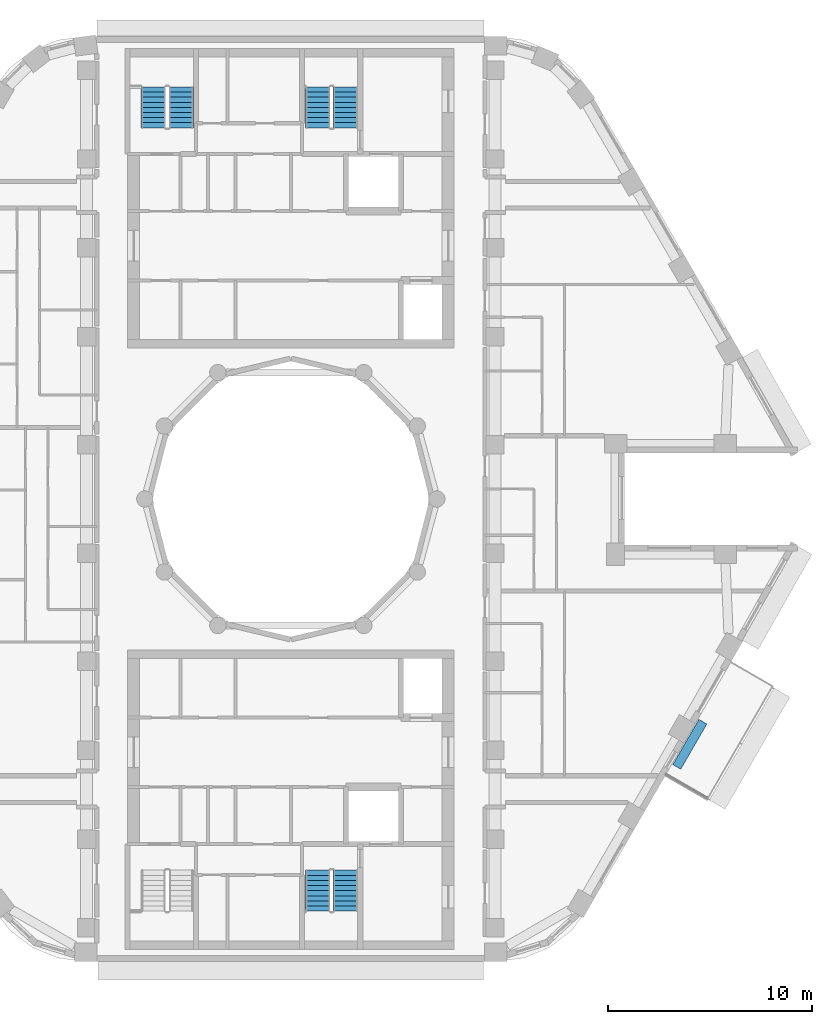
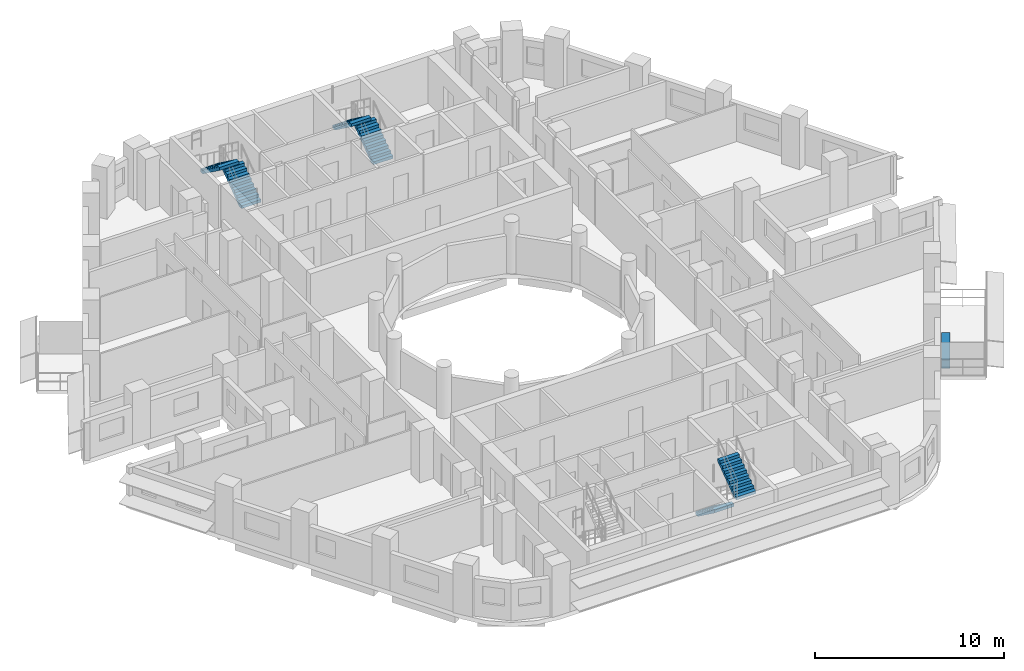
# One storey, part 9 of 14: 6 stair flights, 1 discrete accessory, 3 elements without a shape of their own.
"""IFC4 building model written with IfcOpenShell, lengths in metres."""

from ifc_helpers import new_model, si_unit, direction, frame, origin, origin_2d, place, context, subcontext, project, spatial, polyline, rectangle, outline, extrude, material, type_object, element, aggregate, save


model = new_model("IFC4")

# Units and contexts
model_context = context("Model", 3, precision=1e-05, world=origin(), true_north=direction((0.0, 1.0)))
body_context = subcontext(model_context, "Body", "Model", "MODEL_VIEW")
ifc_project = project(units=[si_unit("LENGTHUNIT", "METRE"), si_unit("AREAUNIT", "SQUARE_METRE"), si_unit("VOLUMEUNIT", "CUBIC_METRE"), si_unit("PLANEANGLEUNIT", "RADIAN"), si_unit("MASSUNIT", "GRAM", prefix="KILO")], contexts=[model_context])

# Site, building, storey
site_placement = place(None, origin())
site = spatial("IfcSite", under=ifc_project, at=site_placement, CompositionType="ELEMENT")
building_placement = place(site_placement, origin())
building = spatial("IfcBuilding", under=site, at=building_placement, Name="Nakaniwa Court", CompositionType="ELEMENT")
storey_placement = place(building_placement, frame((0.0, 0.0, 265.800048828125)))
storey = spatial("IfcBuildingStorey", under=building, at=storey_placement, Name="L70", CompositionType="ELEMENT", Elevation=265.800048828125)

# Stair, stair flights
ifc_material_1 = material(Name="Concrete C80/100", Category="concrete")
stair_type = type_object("IfcStairType", Name="Dog leg stair 1200 wide 18 risers", PredefinedType="HALF_TURN_STAIR", material=ifc_material_1)
stair_1_placement = place(storey_placement, origin())
stair_1 = element("IfcStair", 1, at=stair_1_placement, inside=storey, type_object=stair_type, Name="L70 Stair ST1", PredefinedType="HALF_TURN_STAIR")
stair_flight_type = type_object("IfcStairFlightType", Name="Stair flight 1200 wide 9 risers", PredefinedType="STRAIGHT", material=ifc_material_1)
stair_flight_1_placement = place(storey_placement, frame((74.625, 98.175048828125, 0.0), z_axis=(0.0, 0.0, 1.0), x_axis=(0.0, 1.0, 0.0)))
stair_flight_1 = element("IfcStairFlight", 2, at=stair_flight_1_placement, type_object=stair_flight_type, Name="ST1 flight 1", NumberOfRisers=9, NumberOfTreads=8, PredefinedType="STRAIGHT", RiserHeight=0.183333333, TreadLength=0.25, context=body_context, shape_type="SweptSolid", body=[
    extrude(outline(polyline([(0.0, 0.0), (0.0, 0.026123046875), (0.0, 0.052490234375), (0.0, 0.07861328125), (0.0, 0.104736328125), (0.0, 0.130859375), (0.0, 0.1572265625), (0.0, 0.183349609375), (0.25, 0.183349609375), (0.25, 0.36669921875), (0.5, 0.36669921875), (0.5, 0.550048828125), (0.75, 0.550048828125), (0.75, 0.7333984375), (1.0, 0.7333984375), (1.0, 0.916748046875), (1.25, 0.916748046875), (1.25, 1.10009765625), (1.5, 1.10009765625), (1.5, 1.283447265625), (1.75, 1.283447265625), (1.75, 1.466552734375), (2.0, 1.466552734375), (2.0, 1.64990234375), (2.0, 1.59716796875), (2.0, 1.54443359375), (2.0, 1.49169921875), (2.0, 1.43896484375), (2.0, 1.38623046875), (2.0, 1.33349609375), (2.0, 1.28076171875), (0.25341796875, 0.0), (0.0, 0.0)])), frame((0.0, 0.60009765625, 0.0), z_axis=(0.0, -1.0, 0.0), x_axis=(1.0, 0.0, 0.0)), (0.0, 0.0, 1.0), 1.199951171875),
])
stair_flight_2_placement = place(storey_placement, frame((73.27490234375, 100.175048828125, 1.64990234375), z_axis=(0.0, 0.0, 1.0), x_axis=(0.0, -1.0, 0.0)))
stair_flight_2 = element("IfcStairFlight", 3, at=stair_flight_2_placement, type_object=stair_flight_type, Name="ST1 flight 2", NumberOfRisers=9, NumberOfTreads=8, PredefinedType="STRAIGHT", RiserHeight=0.183333333, TreadLength=0.25, context=body_context, shape_type="SweptSolid", body=[
    extrude(outline(polyline([(0.0, 0.0), (0.0, 0.026123046875), (0.0, 0.052490234375), (0.0, 0.07861328125), (0.0, 0.104736328125), (0.0, 0.130859375), (0.0, 0.1572265625), (0.0, 0.183349609375), (0.25, 0.183349609375), (0.25, 0.36669921875), (0.5, 0.36669921875), (0.5, 0.550048828125), (0.75, 0.550048828125), (0.75, 0.7333984375), (1.0, 0.7333984375), (1.0, 0.916748046875), (1.25, 0.916748046875), (1.25, 1.10009765625), (1.5, 1.10009765625), (1.5, 1.283447265625), (1.75, 1.283447265625), (1.75, 1.466552734375), (2.0, 1.466552734375), (2.0, 1.64990234375), (2.0, 1.59716796875), (2.0, 1.54443359375), (2.0, 1.49169921875), (2.0, 1.43896484375), (2.0, 1.38623046875), (2.0, 1.33349609375), (2.0, 1.28076171875), (0.25341796875, 0.0), (0.0, 0.0)])), frame((0.0, 0.60009765625, 0.0), z_axis=(0.0, -1.0, 0.0), x_axis=(1.0, 0.0, 0.0)), (0.0, 0.0, 1.0), 1.199951171875),
])
aggregate(stair_1, [stair_flight_1, stair_flight_2])

stair_2_placement = place(storey_placement, origin())
stair_2 = element("IfcStair", 4, at=stair_2_placement, inside=storey, type_object=stair_type, Name="L70 Stair ST2", PredefinedType="HALF_TURN_STAIR")
stair_flight_3_placement = place(storey_placement, frame((82.675048828125, 98.175048828125, 0.0), z_axis=(0.0, 0.0, 1.0), x_axis=(0.0, 1.0, 0.0)))
stair_flight_3 = element("IfcStairFlight", 5, at=stair_flight_3_placement, type_object=stair_flight_type, Name="ST2 flight 1", NumberOfRisers=9, NumberOfTreads=8, PredefinedType="STRAIGHT", RiserHeight=0.183333333, TreadLength=0.25, context=body_context, shape_type="SweptSolid", body=[
    extrude(outline(polyline([(0.0, 0.0), (0.0, 0.026123046875), (0.0, 0.052490234375), (0.0, 0.07861328125), (0.0, 0.104736328125), (0.0, 0.130859375), (0.0, 0.1572265625), (0.0, 0.183349609375), (0.25, 0.183349609375), (0.25, 0.36669921875), (0.5, 0.36669921875), (0.5, 0.550048828125), (0.75, 0.550048828125), (0.75, 0.7333984375), (1.0, 0.7333984375), (1.0, 0.916748046875), (1.25, 0.916748046875), (1.25, 1.10009765625), (1.5, 1.10009765625), (1.5, 1.283447265625), (1.75, 1.283447265625), (1.75, 1.466552734375), (2.0, 1.466552734375), (2.0, 1.64990234375), (2.0, 1.59716796875), (2.0, 1.54443359375), (2.0, 1.49169921875), (2.0, 1.43896484375), (2.0, 1.38623046875), (2.0, 1.33349609375), (2.0, 1.28076171875), (0.25341796875, 0.0), (0.0, 0.0)])), frame((0.0, 0.60009765625, 0.0), z_axis=(0.0, -1.0, 0.0), x_axis=(1.0, 0.0, 0.0)), (0.0, 0.0, 1.0), 1.199951171875),
])
stair_flight_4_placement = place(storey_placement, frame((81.324951171875, 100.175048828125, 1.64990234375), z_axis=(0.0, 0.0, 1.0), x_axis=(0.0, -1.0, 0.0)))
stair_flight_4 = element("IfcStairFlight", 6, at=stair_flight_4_placement, type_object=stair_flight_type, Name="ST2 flight 2", NumberOfRisers=9, NumberOfTreads=8, PredefinedType="STRAIGHT", RiserHeight=0.183333333, TreadLength=0.25, context=body_context, shape_type="SweptSolid", body=[
    extrude(outline(polyline([(0.0, 0.0), (0.0, 0.026123046875), (0.0, 0.052490234375), (0.0, 0.07861328125), (0.0, 0.104736328125), (0.0, 0.130859375), (0.0, 0.1572265625), (0.0, 0.183349609375), (0.25, 0.183349609375), (0.25, 0.36669921875), (0.5, 0.36669921875), (0.5, 0.550048828125), (0.75, 0.550048828125), (0.75, 0.7333984375), (1.0, 0.7333984375), (1.0, 0.916748046875), (1.25, 0.916748046875), (1.25, 1.10009765625), (1.5, 1.10009765625), (1.5, 1.283447265625), (1.75, 1.283447265625), (1.75, 1.466552734375), (2.0, 1.466552734375), (2.0, 1.64990234375), (2.0, 1.59716796875), (2.0, 1.54443359375), (2.0, 1.49169921875), (2.0, 1.43896484375), (2.0, 1.38623046875), (2.0, 1.33349609375), (2.0, 1.28076171875), (0.25341796875, 0.0), (0.0, 0.0)])), frame((0.0, 0.60009765625, 0.0), z_axis=(0.0, -1.0, 0.0), x_axis=(1.0, 0.0, 0.0)), (0.0, 0.0, 1.0), 1.199951171875),
])
aggregate(stair_2, [stair_flight_3, stair_flight_4])

stair_3_placement = place(storey_placement, origin())
stair_3 = element("IfcStair", 7, at=stair_3_placement, inside=storey, type_object=stair_type, Name="L70 Stair ST4", PredefinedType="HALF_TURN_STAIR")
stair_flight_5_placement = place(storey_placement, frame((81.324951171875, 61.824951171875, 0.0), z_axis=(0.0, 0.0, 1.0), x_axis=(0.0, -1.0, 0.0)))
stair_flight_5 = element("IfcStairFlight", 8, at=stair_flight_5_placement, type_object=stair_flight_type, Name="ST4 flight 1", NumberOfRisers=9, NumberOfTreads=8, PredefinedType="STRAIGHT", RiserHeight=0.183333333, TreadLength=0.25, context=body_context, shape_type="SweptSolid", body=[
    extrude(outline(polyline([(0.0, 0.0), (0.0, 0.026123046875), (0.0, 0.052490234375), (0.0, 0.07861328125), (0.0, 0.104736328125), (0.0, 0.130859375), (0.0, 0.1572265625), (0.0, 0.183349609375), (0.25, 0.183349609375), (0.25, 0.36669921875), (0.5, 0.36669921875), (0.5, 0.550048828125), (0.75, 0.550048828125), (0.75, 0.7333984375), (1.0, 0.7333984375), (1.0, 0.916748046875), (1.25, 0.916748046875), (1.25, 1.10009765625), (1.5, 1.10009765625), (1.5, 1.283447265625), (1.75, 1.283447265625), (1.75, 1.466552734375), (2.0, 1.466552734375), (2.0, 1.64990234375), (2.0, 1.59716796875), (2.0, 1.54443359375), (2.0, 1.49169921875), (2.0, 1.43896484375), (2.0, 1.38623046875), (2.0, 1.33349609375), (2.0, 1.28076171875), (0.25341796875, 0.0), (0.0, 0.0)])), frame((0.0, 0.60009765625, 0.0), z_axis=(0.0, -1.0, 0.0), x_axis=(1.0, 0.0, 0.0)), (0.0, 0.0, 1.0), 1.199951171875),
])
stair_flight_6_placement = place(storey_placement, frame((82.675048828125, 59.824951171875, 1.64990234375), z_axis=(0.0, 0.0, 1.0), x_axis=(0.0, 1.0, 0.0)))
stair_flight_6 = element("IfcStairFlight", 9, at=stair_flight_6_placement, type_object=stair_flight_type, Name="ST4 flight 2", NumberOfRisers=9, NumberOfTreads=8, PredefinedType="STRAIGHT", RiserHeight=0.183333333, TreadLength=0.25, context=body_context, shape_type="SweptSolid", body=[
    extrude(outline(polyline([(0.0, 0.0), (0.0, 0.026123046875), (0.0, 0.052490234375), (0.0, 0.07861328125), (0.0, 0.104736328125), (0.0, 0.130859375), (0.0, 0.1572265625), (0.0, 0.183349609375), (0.25, 0.183349609375), (0.25, 0.36669921875), (0.5, 0.36669921875), (0.5, 0.550048828125), (0.75, 0.550048828125), (0.75, 0.7333984375), (1.0, 0.7333984375), (1.0, 0.916748046875), (1.25, 0.916748046875), (1.25, 1.10009765625), (1.5, 1.10009765625), (1.5, 1.283447265625), (1.75, 1.283447265625), (1.75, 1.466552734375), (2.0, 1.466552734375), (2.0, 1.64990234375), (2.0, 1.59716796875), (2.0, 1.54443359375), (2.0, 1.49169921875), (2.0, 1.43896484375), (2.0, 1.38623046875), (2.0, 1.33349609375), (2.0, 1.28076171875), (0.25341796875, 0.0), (0.0, 0.0)])), frame((0.0, 0.60009765625, 0.0), z_axis=(0.0, -1.0, 0.0), x_axis=(1.0, 0.0, 0.0)), (0.0, 0.0, 1.0), 1.199951171875),
])
aggregate(stair_3, [stair_flight_5, stair_flight_6])

# Discrete accessory
ifc_material_2 = material(Name="Precast concrete C40/50 planter with planted soil", Category="concrete")
discrete_accessory_type = type_object("IfcDiscreteAccessoryType", Name="Planter box charcoal concrete", PredefinedType="USERDEFINED", material=ifc_material_2)
discrete_accessory_placement = place(storey_placement, frame((99.537109375, 67.9892578125, -0.05029296875), z_axis=(0.0, 0.0, 1.0), x_axis=(0.499986396443, 0.866033257659, 0.0)))
element("IfcDiscreteAccessory", 10, at=discrete_accessory_placement, inside=storey, type_object=discrete_accessory_type, Name="L70 balcony PLANTER 02", ObjectType="PLANTER", PredefinedType="USERDEFINED", context=body_context, shape_type="SweptSolid", body=[
    extrude(rectangle(XDim=2.5595703125, YDim=0.449951171875, at=origin_2d()), origin(), (0.0, 0.0, 1.0), 0.550048828125),
])

save(model, "model.ifc")
